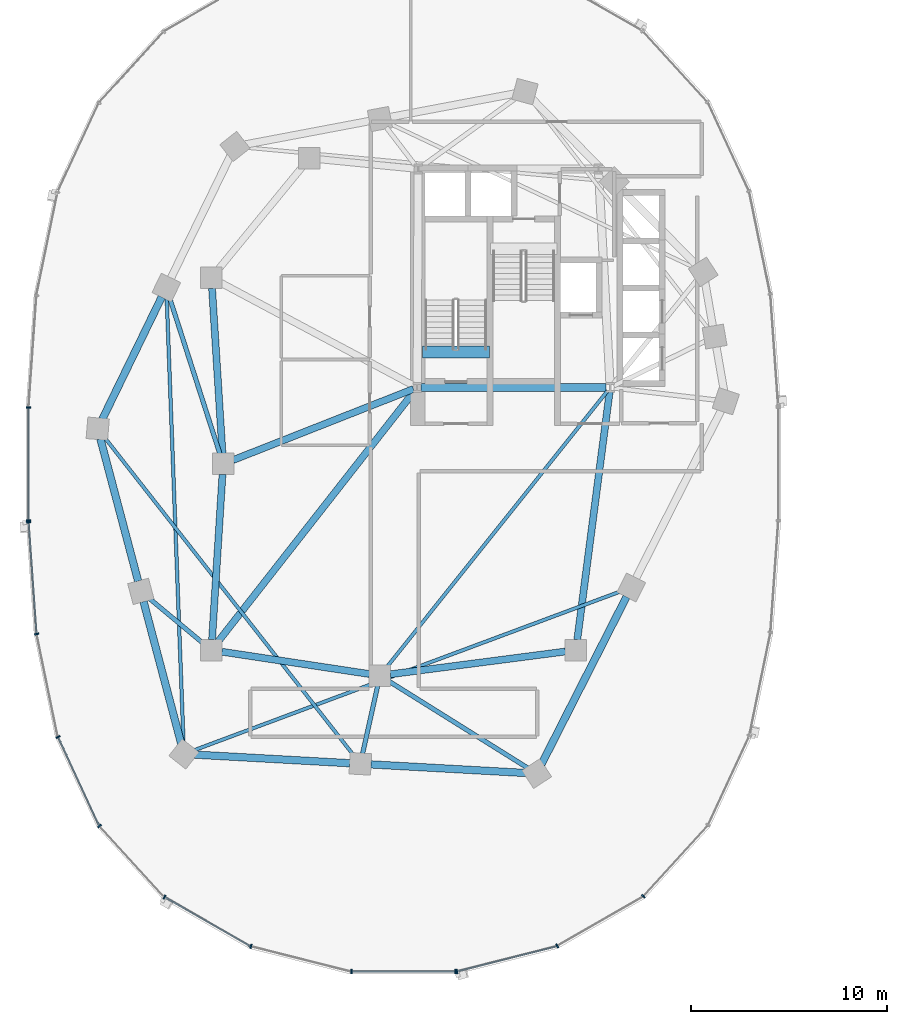
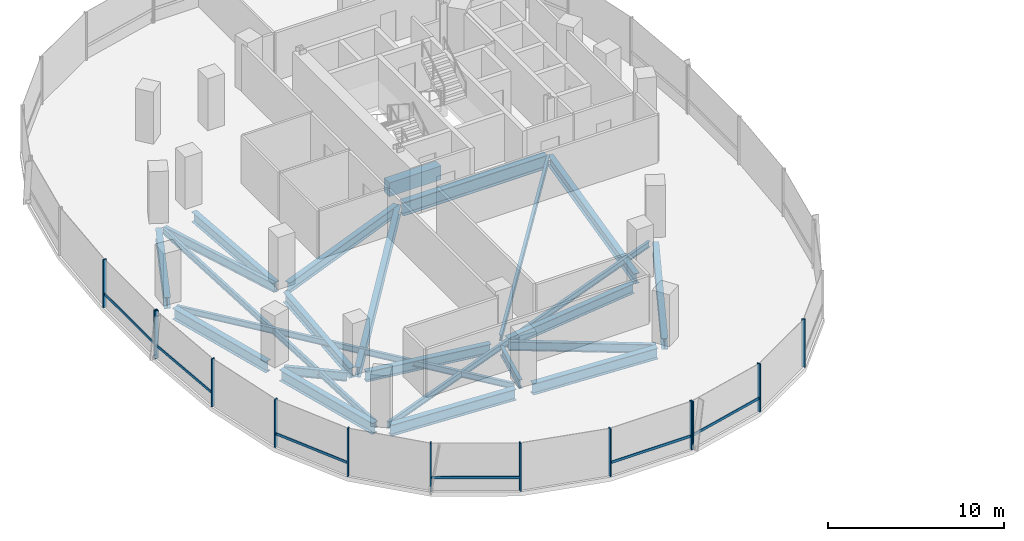
# One storey, part 2 of 20: 23 beams, 19 members, 3 elements without a shape of their own.
"""IFC4 building model written with IfcOpenShell, lengths in metres."""

from ifc_helpers import new_model, si_unit, direction, frame, origin, origin_2d, place, context, subcontext, project, spatial, rectangle, i_section, extrude, material, material_profile, profile_set, type_object, element, aggregate, save


model = new_model("IFC4")

# Units and contexts
model_context = context("Model", 3, precision=1e-05, world=origin(), true_north=direction((0.0, 1.0)))
body_context = subcontext(model_context, "Body", "Model", "MODEL_VIEW")
ifc_project = project(units=[si_unit("LENGTHUNIT", "METRE"), si_unit("AREAUNIT", "SQUARE_METRE"), si_unit("VOLUMEUNIT", "CUBIC_METRE"), si_unit("PLANEANGLEUNIT", "RADIAN"), si_unit("MASSUNIT", "GRAM", prefix="KILO"), si_unit("THERMODYNAMICTEMPERATUREUNIT", "KELVIN"), si_unit("POWERUNIT", "WATT")], contexts=[model_context])

# Site, building, storey
site_placement = place(None, origin())
site = spatial("IfcSite", under=ifc_project, at=site_placement, CompositionType="ELEMENT")
building_placement = place(site_placement, origin())
building = spatial("IfcBuilding", under=site, at=building_placement, Name="Cundina Bronze Exchange", CompositionType="ELEMENT")
storey_placement = place(building_placement, frame((0.0, 0.0, 128.60009765625)))
storey = spatial("IfcBuildingStorey", under=building, at=storey_placement, Name="L33", CompositionType="ELEMENT", Elevation=128.60009765625)

# Beams
ifc_material_1 = material(Name="Concrete C60/75", Category="concrete")
ifc_material_profile_1 = material_profile(ifc_material_1, rectangle(XDim=0.60009765625, YDim=0.949951171875, at=origin_2d()), Name="RC600X950", Category="concrete")
ifc_profile_set_1 = profile_set([ifc_material_profile_1], Name="Concrete C60/75")
beam_type_1 = type_object("IfcBeamType", Name="BM-COUP-RC950", PredefinedType="LINTEL", material=ifc_profile_set_1)
beam_1_placement = place(storey_placement, frame((-31.02001953125, 5.719970703125, -0.47509765625), z_axis=(1.0, 0.0, 0.0), x_axis=(0.0, 1.0, 0.0)))
element("IfcBeam", 1, at=beam_1_placement, inside=storey, type_object=beam_type_1, Name="L33 Stair W1 Landing Header Beam", PredefinedType="LINTEL", context=body_context, shape_type="SweptSolid", body=[
    extrude(rectangle(XDim=0.60009765625, YDim=0.949951171875, at=origin_2d()), origin(), (0.0, 0.0, 1.0), 3.39990234375),
])
ifc_material_2 = material(Name="Steel ASTM A992 Grade 50", Category="steel")
ifc_material_profile_2 = material_profile(ifc_material_2, i_section(OverallWidth=0.22998046875, OverallDepth=0.616943359375, WebThickness=0.01318359375, FlangeThickness=0.022216796875, FilletRadius=0.013916015625, at=origin_2d()), Name="W24X94", Category="steel")
ifc_profile_set_2 = profile_set([ifc_material_profile_2], Name="Steel ASTM A992 Grade 50")
beam_type_2 = type_object("IfcBeamType", Name="BM-FLR-W24B", PredefinedType="BEAM", material=ifc_profile_set_2)
beam_2_placement = place(storey_placement, frame((-41.364990234375, 0.51220703125, -0.608642578125), z_axis=(-0.306710777581, 0.951802762612, 0.0), x_axis=(-0.951802762612, -0.306710777581, 0.0)))
element("IfcBeam", 2, at=beam_2_placement, inside=storey, type_object=beam_type_2, Name="L33 Leg W Radial Floor Beam 07", PredefinedType="BEAM", context=body_context, shape_type="SweptSolid", body=[
    extrude(i_section(OverallWidth=0.22998046875, OverallDepth=0.616943359375, WebThickness=0.01318359375, FlangeThickness=0.022216796875, FilletRadius=0.013916015625, at=origin_2d()), origin(), (0.0, 0.0, 1.0), 8.37939453125),
])
beam_3_placement = place(storey_placement, frame((-42.21337890625, -9.155517578125, -0.608642578125), z_axis=(-0.768243451945, 0.640157791911, 0.0), x_axis=(-0.640157791911, -0.768243451945, 0.0)))
element("IfcBeam", 3, at=beam_3_placement, inside=storey, type_object=beam_type_2, Name="L33 Leg W Radial Floor Beam 09", PredefinedType="BEAM", context=body_context, shape_type="SweptSolid", body=[
    extrude(i_section(OverallWidth=0.22998046875, OverallDepth=0.616943359375, WebThickness=0.01318359375, FlangeThickness=0.022216796875, FilletRadius=0.013916015625, at=origin_2d()), origin(), (0.0, 0.0, 1.0), 3.610107421875),
])
beam_4_placement = place(storey_placement, frame((-33.316650390625, -11.3251953125, -0.608642578125), z_axis=(-0.216930457819, -0.976187060184, 0.0), x_axis=(0.976187060184, -0.216930457819, 0.0)))
element("IfcBeam", 4, at=beam_4_placement, inside=storey, type_object=beam_type_2, Name="L33 Leg W Radial Floor Beam 11", PredefinedType="BEAM", context=body_context, shape_type="SweptSolid", body=[
    extrude(i_section(OverallWidth=0.22998046875, OverallDepth=0.616943359375, WebThickness=0.01318359375, FlangeThickness=0.022216796875, FilletRadius=0.013916015625, at=origin_2d()), origin(), (0.0, 0.0, 1.0), 3.533935546875),
])
beam_5_placement = place(storey_placement, frame((-32.743896484375, -11.085205078125, -0.608642578125), z_axis=(0.848003227047, -0.529991063055, 0.0), x_axis=(0.529991063055, 0.848003227047, 0.0)))
element("IfcBeam", 5, at=beam_5_placement, inside=storey, type_object=beam_type_2, Name="L33 Leg W Radial Floor Beam 12", PredefinedType="BEAM", context=body_context, shape_type="SweptSolid", body=[
    extrude(i_section(OverallWidth=0.22998046875, OverallDepth=0.616943359375, WebThickness=0.01318359375, FlangeThickness=0.022216796875, FilletRadius=0.013916015625, at=origin_2d()), origin(), (0.0, 0.0, 1.0), 8.358154296875),
])
ifc_material_profile_3 = material_profile(ifc_material_2, i_section(OverallWidth=0.178955078125, OverallDepth=0.409912109375, WebThickness=0.0087890625, FlangeThickness=0.014404296875, FilletRadius=0.010986328125, at=origin_2d()), Name="W16X45", Category="steel")
ifc_profile_set_3 = profile_set([ifc_material_profile_3], Name="Steel ASTM A992 Grade 50")
beam_type_3 = type_object("IfcBeamType", Name="BM-JST-W16", PredefinedType="JOIST", material=ifc_profile_set_3)
beam_6_placement = place(storey_placement, frame((-21.577392578125, 3.740478515625, -0.505126953125), z_axis=(-0.62436887964, -0.781129632095, 0.0), x_axis=(0.781129632095, -0.62436887964, 0.0)))
element("IfcBeam", 6, at=beam_6_placement, inside=storey, type_object=beam_type_3, Name="L33 W Interior Core-to-Ring Joist 2", PredefinedType="JOIST", context=body_context, shape_type="SweptSolid", body=[
    extrude(i_section(OverallWidth=0.178955078125, OverallDepth=0.409912109375, WebThickness=0.0087890625, FlangeThickness=0.014404296875, FilletRadius=0.010986328125, at=origin_2d()), origin(), (0.0, 0.0, 1.0), 18.076904296875),
])
beam_7_placement = place(storey_placement, frame((-44.07958984375, 8.46240234375, -0.505126953125), z_axis=(0.03778951385, -0.999285721224, 0.0), x_axis=(0.999285721224, 0.03778951385, 0.0)))
element("IfcBeam", 7, at=beam_7_placement, inside=storey, type_object=beam_type_3, Name="L33 Leg W Lobe Floor Joist 07-10", PredefinedType="JOIST", context=body_context, shape_type="SweptSolid", body=[
    extrude(i_section(OverallWidth=0.178955078125, OverallDepth=0.409912109375, WebThickness=0.0087890625, FlangeThickness=0.014404296875, FilletRadius=0.010986328125, at=origin_2d()), origin(), (0.0, 0.0, 1.0), 22.7412109375),
])
beam_8_placement = place(storey_placement, frame((-47.268310546875, 1.37646484375, -0.505126953125), z_axis=(0.616815348306, -0.787107887201, 0.0), x_axis=(0.787107887201, 0.616815348306, 0.0)))
element("IfcBeam", 8, at=beam_8_placement, inside=storey, type_object=beam_type_3, Name="L33 Leg W Lobe Floor Joist 08-11", PredefinedType="JOIST", context=body_context, shape_type="SweptSolid", body=[
    extrude(i_section(OverallWidth=0.178955078125, OverallDepth=0.409912109375, WebThickness=0.0087890625, FlangeThickness=0.014404296875, FilletRadius=0.010986328125, at=origin_2d()), origin(), (0.0, 0.0, 1.0), 20.64892578125),
])
beam_9_placement = place(storey_placement, frame((-42.69580078125, -14.6123046875, -0.505126953125), z_axis=(0.937127917421, 0.348986054721, 0.0), x_axis=(-0.348986054721, 0.937127917421, 0.0)))
element("IfcBeam", 9, at=beam_9_placement, inside=storey, type_object=beam_type_3, Name="L33 Leg W Lobe Floor Joist 10-13", PredefinedType="JOIST", context=body_context, shape_type="SweptSolid", body=[
    extrude(i_section(OverallWidth=0.178955078125, OverallDepth=0.409912109375, WebThickness=0.0087890625, FlangeThickness=0.014404296875, FilletRadius=0.010986328125, at=origin_2d()), origin(), (0.0, 0.0, 1.0), 23.2802734375),
])
ifc_material_profile_4 = material_profile(ifc_material_2, i_section(OverallWidth=0.35498046875, OverallDepth=0.695068359375, WebThickness=0.015380859375, FlangeThickness=0.02490234375, FilletRadius=0.01806640625, at=origin_2d()), Name="W27X146", Category="steel")
ifc_profile_set_4 = profile_set([ifc_material_profile_4], Name="Steel ASTM A992 Grade 50")
beam_type_4 = type_object("IfcBeamType", Name="BM-RING-W27", PredefinedType="USERDEFINED", material=ifc_profile_set_4)
for number, where, z_axis, x_axis, name in (
    (10, (-41.76611328125, 8.963134765625, -0.647705078125), (0.06303715519, -0.998011180832, 0.0), (0.998011180832, 0.06303715519, 0.0), "L33 W Inner Structural Ring Girder 03"),
    (11, (-41.23388671875, -0.536865234375, -0.647705078125), (-0.06303715519, -0.998011180832, 0.0), (0.998011180832, -0.06303715519, 0.0), "L33 W Inner Structural Ring Girder 04"),
):
    element("IfcBeam", number, at=place(storey_placement, frame(where, z_axis=z_axis, x_axis=x_axis)), inside=storey, type_object=beam_type_4, Name=name, ObjectType="GIRDER", PredefinedType="USERDEFINED", context=body_context, shape_type="SweptSolid", body=[
        extrude(i_section(OverallWidth=0.35498046875, OverallDepth=0.695068359375, WebThickness=0.015380859375, FlangeThickness=0.02490234375, FilletRadius=0.01806640625, at=origin_2d()), origin(), (0.0, 0.0, 1.0), 8.443115234375),
    ])
beam_10_placement = place(storey_placement, frame((-41.26806640625, -9.580322265625, -0.647705078125), z_axis=(0.988767489563, -0.149461873341, 0.0), x_axis=(0.149461873341, 0.988767489563, 0.0)))
element("IfcBeam", 12, at=beam_10_placement, inside=storey, type_object=beam_type_4, Name="L33 W Inner Structural Ring Girder 05", ObjectType="GIRDER", PredefinedType="USERDEFINED", context=body_context, shape_type="SweptSolid", body=[
    extrude(i_section(OverallWidth=0.35498046875, OverallDepth=0.695068359375, WebThickness=0.015380859375, FlangeThickness=0.02490234375, FilletRadius=0.01806640625, at=origin_2d()), origin(), (0.0, 0.0, 1.0), 7.621826171875),
])
beam_11_placement = place(storey_placement, frame((-32.66650390625, -10.730712890625, -0.647705078125), z_axis=(0.991654577907, 0.128923225666, 0.0), x_axis=(-0.128923225666, 0.991654577907, 0.0)))
element("IfcBeam", 13, at=beam_11_placement, inside=storey, type_object=beam_type_4, Name="L33 W Inner Structural Ring Girder 06", ObjectType="GIRDER", PredefinedType="USERDEFINED", context=body_context, shape_type="SweptSolid", body=[
    extrude(i_section(OverallWidth=0.35498046875, OverallDepth=0.695068359375, WebThickness=0.015380859375, FlangeThickness=0.02490234375, FilletRadius=0.01806640625, at=origin_2d()), origin(), (0.0, 0.0, 1.0), 9.00830078125),
])
beam_12_placement = place(storey_placement, frame((-23.13037109375, -8.966552734375, -0.647705078125), z_axis=(0.129507526533, 0.99157843894, 0.0), x_axis=(-0.99157843894, 0.129507526533, 0.0)))
element("IfcBeam", 14, at=beam_12_placement, inside=storey, type_object=beam_type_4, Name="L33 W Inner Structural Ring Girder 07", ObjectType="GIRDER", PredefinedType="USERDEFINED", context=body_context, shape_type="SweptSolid", body=[
    extrude(i_section(OverallWidth=0.35498046875, OverallDepth=0.695068359375, WebThickness=0.015380859375, FlangeThickness=0.02490234375, FilletRadius=0.01806640625, at=origin_2d()), origin(), (0.0, 0.0, 1.0), 12.77197265625),
])
beam_13_placement = place(storey_placement, frame((-31.48974609375, 3.8251953125, -0.647705078125), z_axis=(-0.930413235418, -0.366512225388, 0.0), x_axis=(0.366512225388, -0.930413235418, 0.0)))
element("IfcBeam", 15, at=beam_13_placement, inside=storey, type_object=beam_type_4, Name="L33 W Core-to-Waist Tie Beam 1", ObjectType="GIRDER", PredefinedType="USERDEFINED", context=body_context, shape_type="SweptSolid", body=[
    extrude(i_section(OverallWidth=0.35498046875, OverallDepth=0.695068359375, WebThickness=0.015380859375, FlangeThickness=0.02490234375, FilletRadius=0.01806640625, at=origin_2d()), origin(), (0.0, 0.0, 1.0), 9.8984375),
])
beam_14_placement = place(storey_placement, frame((-31.42578125, 3.739501953125, -0.647705078125), z_axis=(-0.616789275748, -0.787128318206, 0.0), x_axis=(0.787128318206, -0.616789275748, 0.0)))
element("IfcBeam", 16, at=beam_14_placement, inside=storey, type_object=beam_type_4, Name="L33 W Core-to-Waist Tie Beam 3", ObjectType="GIRDER", PredefinedType="USERDEFINED", context=body_context, shape_type="SweptSolid", body=[
    extrude(i_section(OverallWidth=0.35498046875, OverallDepth=0.695068359375, WebThickness=0.015380859375, FlangeThickness=0.02490234375, FilletRadius=0.01806640625, at=origin_2d()), origin(), (0.0, 0.0, 1.0), 16.281982421875),
])
ifc_material_profile_5 = material_profile(ifc_material_2, i_section(OverallWidth=0.381103515625, OverallDepth=0.77294921875, WebThickness=0.0166015625, FlangeThickness=0.027099609375, FilletRadius=0.01904296875, at=origin_2d()), Name="W30X173", Category="steel")
ifc_profile_set_5 = profile_set([ifc_material_profile_5], Name="Steel ASTM A992 Grade 50")
beam_type_5 = type_object("IfcBeamType", Name="BM-RING-W30", PredefinedType="USERDEFINED", material=ifc_profile_set_5)
beam_15_placement = place(storey_placement, frame((-44.335205078125, 8.51611328125, -0.6865234375), z_axis=(-0.437193894283, -0.899367276924, 0.0), x_axis=(0.899367276924, -0.437193894283, 0.0)))
element("IfcBeam", 17, at=beam_15_placement, inside=storey, type_object=beam_type_5, Name="L33 W Perimeter Ring Girder 07", ObjectType="GIRDER", PredefinedType="USERDEFINED", context=body_context, shape_type="SweptSolid", body=[
    extrude(i_section(OverallWidth=0.381103515625, OverallDepth=0.77294921875, WebThickness=0.0166015625, FlangeThickness=0.027099609375, FilletRadius=0.01904296875, at=origin_2d()), origin(), (0.0, 0.0, 1.0), 6.929443359375),
])
for number, where, z_axis, x_axis, name in (
    (18, (-47.462158203125, 1.280029296875, -0.6865234375), (0.256209719931, -0.966621218168, 0.0), (0.966621218168, 0.256209719931, 0.0), "L33 W Perimeter Ring Girder 08"),
    (19, (-45.26220703125, -7.02001953125, -0.6865234375), (0.256209719931, -0.966621218168, 0.0), (0.966621218168, 0.256209719931, 0.0), "L33 W Perimeter Ring Girder 09"),
):
    element("IfcBeam", number, at=place(storey_placement, frame(where, z_axis=z_axis, x_axis=x_axis)), inside=storey, type_object=beam_type_5, Name=name, ObjectType="GIRDER", PredefinedType="USERDEFINED", context=body_context, shape_type="SweptSolid", body=[
        extrude(i_section(OverallWidth=0.381103515625, OverallDepth=0.77294921875, WebThickness=0.0166015625, FlangeThickness=0.027099609375, FilletRadius=0.01904296875, at=origin_2d()), origin(), (0.0, 0.0, 1.0), 7.5107421875),
    ])
for number, where, z_axis, x_axis, name in (
    (20, (-42.662841796875, -14.829833984375, -0.6865234375), (0.99845950136, -0.055485350721, 0.0), (0.055485350721, 0.99845950136, 0.0), "L33 W Perimeter Ring Girder 10"),
    (21, (-33.662841796875, -15.329833984375, -0.6865234375), (0.99845950136, -0.055485350721, 0.0), (0.055485350721, 0.99845950136, 0.0), "L33 W Perimeter Ring Girder 11"),
):
    element("IfcBeam", number, at=place(storey_placement, frame(where, z_axis=z_axis, x_axis=x_axis)), inside=storey, type_object=beam_type_5, Name=name, ObjectType="GIRDER", PredefinedType="USERDEFINED", context=body_context, shape_type="SweptSolid", body=[
        extrude(i_section(OverallWidth=0.381103515625, OverallDepth=0.77294921875, WebThickness=0.0166015625, FlangeThickness=0.027099609375, FilletRadius=0.01904296875, at=origin_2d()), origin(), (0.0, 0.0, 1.0), 7.937744140625),
    ])
beam_16_placement = place(storey_placement, frame((-24.956298828125, -15.3203125, -0.6865234375), z_axis=(0.452832332744, 0.891595692241, 0.0), x_axis=(-0.891595692241, 0.452832332744, 0.0)))
element("IfcBeam", 22, at=beam_16_placement, inside=storey, type_object=beam_type_5, Name="L33 W Perimeter Ring Girder 12", ObjectType="GIRDER", PredefinedType="USERDEFINED", context=body_context, shape_type="SweptSolid", body=[
    extrude(i_section(OverallWidth=0.381103515625, OverallDepth=0.77294921875, WebThickness=0.0166015625, FlangeThickness=0.027099609375, FilletRadius=0.01904296875, at=origin_2d()), origin(), (0.0, 0.0, 1.0), 9.578857421875),
])
ifc_material_profile_6 = material_profile(ifc_material_2, i_section(OverallWidth=0.41796875, OverallDepth=0.927001953125, WebThickness=0.019287109375, FlangeThickness=0.031982421875, FilletRadius=0.02392578125, at=origin_2d()), Name="W36X231", Category="steel")
ifc_profile_set_6 = profile_set([ifc_material_profile_6], Name="Steel ASTM A992 Grade 50")
beam_type_6 = type_object("IfcBeamType", Name="BM-WRN-W36B", PredefinedType="USERDEFINED", material=ifc_profile_set_6)
beam_17_placement = place(storey_placement, frame((-31.095947265625, 3.89990234375, -0.763671875), z_axis=(1.0, 0.0, 0.0), x_axis=(0.0, 1.0, 0.0)))
element("IfcBeam", 23, at=beam_17_placement, inside=storey, type_object=beam_type_6, Name="L33 W Core Perimeter Tie Girder 1", ObjectType="GIRDER", PredefinedType="USERDEFINED", context=body_context, shape_type="SweptSolid", body=[
    extrude(i_section(OverallWidth=0.41796875, OverallDepth=0.927001953125, WebThickness=0.019287109375, FlangeThickness=0.031982421875, FilletRadius=0.02392578125, at=origin_2d()), origin(), (0.0, 0.0, 1.0), 9.44189453125),
])

# Curtain wall, members
ifc_material_3 = material(Name="Anodised Bronze Aluminium 6063-T6", Category="aluminium")
curtain_wall_type = type_object("IfcCurtainWallType", Name="CWS-TRD-MID", PredefinedType="NOTDEFINED", material=ifc_material_3)
curtain_wall_1_placement = place(storey_placement, origin())
curtain_wall_1 = element("IfcCurtainWall", 24, at=curtain_wall_1_placement, inside=storey, type_object=curtain_wall_type, Name="L33 CW-03 Curtain Wall Run CWR-L33-W2", PredefinedType="NOTDEFINED")
ifc_material_profile_7 = material_profile(ifc_material_3, rectangle(XDim=0.074951171875, YDim=0.219970703125, at=origin_2d()), Name="AL75X220", Category="aluminium")
ifc_profile_set_7 = profile_set([ifc_material_profile_7], Name="Anodised Bronze Aluminium 6063-T6")
member_type_1 = type_object("IfcMemberType", Name="CWM-MUL-220", PredefinedType="MULLION", material=ifc_profile_set_7)
member_1_placement = place(storey_placement, frame((-51.1279296875, 2.880615234375, 0.0), z_axis=(0.0, 0.0, 1.0), x_axis=(0.0, -1.0, 0.0)))
member_1 = element("IfcMember", 25, at=member_1_placement, type_object=member_type_1, Name="CW-03 Mullion 7", PredefinedType="MULLION", context=body_context, shape_type="SweptSolid", body=[
    extrude(rectangle(XDim=0.074951171875, YDim=0.219970703125, at=origin_2d()), origin(), (0.0, 0.0, 1.0), 3.31982421875),
])
member_2_placement = place(storey_placement, frame((-51.1279296875, -2.880615234375, 0.0), z_axis=(0.0, 0.0, 1.0), x_axis=(0.0, -1.0, 0.0)))
member_2 = element("IfcMember", 26, at=member_2_placement, type_object=member_type_1, Name="CW-03 End Mullion", PredefinedType="MULLION", context=body_context, shape_type="SweptSolid", body=[
    extrude(rectangle(XDim=0.074951171875, YDim=0.219970703125, at=origin_2d()), origin(), (0.0, 0.0, 1.0), 3.31982421875),
])

curtain_wall_2_placement = place(storey_placement, origin())
curtain_wall_2 = element("IfcCurtainWall", 27, at=curtain_wall_2_placement, inside=storey, type_object=curtain_wall_type, Name="L33 CW-03 Curtain Wall Run CWR-L33-W3", PredefinedType="NOTDEFINED")
member_3_placement = place(storey_placement, frame((-51.12451171875, -2.976318359375, 0.0), z_axis=(0.0, 0.0, 1.0), x_axis=(0.070278787473, -0.997527389113, 0.0)))
member_3 = element("IfcMember", 28, at=member_3_placement, type_object=member_type_1, Name="CW-03 Mullion 1", PredefinedType="MULLION", context=body_context, shape_type="SweptSolid", body=[
    extrude(rectangle(XDim=0.074951171875, YDim=0.219970703125, at=origin_2d()), origin(), (0.0, 0.0, 1.0), 3.31982421875),
])
member_4_placement = place(storey_placement, frame((-50.717041015625, -8.67822265625, 0.0), z_axis=(0.0, 0.0, 1.0), x_axis=(0.201419845156, -0.979505000486, 0.0)))
member_4 = element("IfcMember", 29, at=member_4_placement, type_object=member_type_1, Name="CW-03 Mullion 2", PredefinedType="MULLION", context=body_context, shape_type="SweptSolid", body=[
    extrude(rectangle(XDim=0.074951171875, YDim=0.219970703125, at=origin_2d()), origin(), (0.0, 0.0, 1.0), 3.31982421875),
])
member_5_placement = place(storey_placement, frame((-49.6279296875, -13.931884765625, 0.0), z_axis=(0.0, 0.0, 1.0), x_axis=(0.42087749791, -0.907117485088, 0.0)))
member_5 = element("IfcMember", 30, at=member_5_placement, type_object=member_type_1, Name="CW-03 Mullion 3", PredefinedType="MULLION", context=body_context, shape_type="SweptSolid", body=[
    extrude(rectangle(XDim=0.074951171875, YDim=0.219970703125, at=origin_2d()), origin(), (0.0, 0.0, 1.0), 3.31982421875),
])
member_6_placement = place(storey_placement, frame((-47.508544921875, -18.47705078125, 0.0), z_axis=(0.0, 0.0, 1.0), x_axis=(0.674302387584, -0.738455340626, 0.0)))
member_6 = element("IfcMember", 31, at=member_6_placement, type_object=member_type_1, Name="CW-03 Mullion 4", PredefinedType="MULLION", context=body_context, shape_type="SweptSolid", body=[
    extrude(rectangle(XDim=0.074951171875, YDim=0.219970703125, at=origin_2d()), origin(), (0.0, 0.0, 1.0), 3.31982421875),
])
member_7_placement = place(storey_placement, frame((-44.189697265625, -22.097412109375, 0.0), z_axis=(0.0, 0.0, 1.0), x_axis=(0.867070701164, -0.498185105339, 0.0)))
member_7 = element("IfcMember", 32, at=member_7_placement, type_object=member_type_1, Name="CW-03 Mullion 5", PredefinedType="MULLION", context=body_context, shape_type="SweptSolid", body=[
    extrude(rectangle(XDim=0.074951171875, YDim=0.219970703125, at=origin_2d()), origin(), (0.0, 0.0, 1.0), 3.31982421875),
])
member_8_placement = place(storey_placement, frame((-39.78515625, -24.61669921875, 0.0), z_axis=(0.0, 0.0, 1.0), x_axis=(0.969488149345, -0.245138182011, 0.0)))
member_8 = element("IfcMember", 33, at=member_8_placement, type_object=member_type_1, Name="CW-03 Mullion 6", PredefinedType="MULLION", context=body_context, shape_type="SweptSolid", body=[
    extrude(rectangle(XDim=0.074951171875, YDim=0.219970703125, at=origin_2d()), origin(), (0.0, 0.0, 1.0), 3.31982421875),
])
member_9_placement = place(storey_placement, frame((-34.654541015625, -25.905029296875, 0.0), z_axis=(0.0, 0.0, 1.0), x_axis=(1.0, 0.0, 0.0)))
member_9 = element("IfcMember", 34, at=member_9_placement, type_object=member_type_1, Name="CW-03 Mullion 7", PredefinedType="MULLION", context=body_context, shape_type="SweptSolid", body=[
    extrude(rectangle(XDim=0.074951171875, YDim=0.219970703125, at=origin_2d()), origin(), (0.0, 0.0, 1.0), 3.31982421875),
])
member_10_placement = place(storey_placement, frame((-29.345458984375, -25.905029296875, 0.0), z_axis=(0.0, 0.0, 1.0), x_axis=(1.0, 0.0, 0.0)))
member_10 = element("IfcMember", 35, at=member_10_placement, type_object=member_type_1, Name="CW-03 End Mullion", PredefinedType="MULLION", context=body_context, shape_type="SweptSolid", body=[
    extrude(rectangle(XDim=0.074951171875, YDim=0.219970703125, at=origin_2d()), origin(), (0.0, 0.0, 1.0), 3.31982421875),
])

curtain_wall_3_placement = place(storey_placement, origin())
curtain_wall_3 = element("IfcCurtainWall", 36, at=curtain_wall_3_placement, inside=storey, type_object=curtain_wall_type, Name="L33 CW-03 Curtain Wall Run CWR-L33-W4", PredefinedType="NOTDEFINED")
member_11_placement = place(storey_placement, frame((-29.27392578125, -25.89599609375, 0.0), z_axis=(0.0, 0.0, 1.0), x_axis=(0.969488149345, 0.245138182011, 0.0)))
member_11 = element("IfcMember", 37, at=member_11_placement, type_object=member_type_1, Name="CW-03 Mullion 1", PredefinedType="MULLION", context=body_context, shape_type="SweptSolid", body=[
    extrude(rectangle(XDim=0.074951171875, YDim=0.219970703125, at=origin_2d()), origin(), (0.0, 0.0, 1.0), 3.31982421875),
])
member_12_placement = place(storey_placement, frame((-24.151123046875, -24.591064453125, 0.0), z_axis=(0.0, 0.0, 1.0), x_axis=(0.867070701164, 0.498185105339, 0.0)))
member_12 = element("IfcMember", 38, at=member_12_placement, type_object=member_type_1, Name="CW-03 Mullion 2", PredefinedType="MULLION", context=body_context, shape_type="SweptSolid", body=[
    extrude(rectangle(XDim=0.074951171875, YDim=0.219970703125, at=origin_2d()), origin(), (0.0, 0.0, 1.0), 3.31982421875),
])
member_13_placement = place(storey_placement, frame((-19.760498046875, -22.0576171875, 0.0), z_axis=(0.0, 0.0, 1.0), x_axis=(0.674302387584, 0.738455340626, 0.0)))
member_13 = element("IfcMember", 39, at=member_13_placement, type_object=member_type_1, Name="CW-03 Mullion 3", PredefinedType="MULLION", context=body_context, shape_type="SweptSolid", body=[
    extrude(rectangle(XDim=0.074951171875, YDim=0.219970703125, at=origin_2d()), origin(), (0.0, 0.0, 1.0), 3.31982421875),
])

# Member
ifc_material_profile_8 = material_profile(ifc_material_3, rectangle(XDim=0.070068359375, YDim=0.179931640625, at=origin_2d()), Name="AL70X180", Category="aluminium")
ifc_profile_set_8 = profile_set([ifc_material_profile_8], Name="Anodised Bronze Aluminium 6063-T6")
member_type_2 = type_object("IfcMemberType", Name="CWM-TRN-180", PredefinedType="USERDEFINED", material=ifc_profile_set_8)
member_14_placement = place(storey_placement, frame((-51.1279296875, 2.839111328125, 0.919921875), z_axis=(0.0, -1.0, 0.0), x_axis=(1.0, 0.0, 0.0)))
member_14 = element("IfcMember", 40, at=member_14_placement, type_object=member_type_2, Name="CW-03 Spandrel Transom 7", ObjectType="TRANSOM", PredefinedType="USERDEFINED", context=body_context, shape_type="SweptSolid", body=[
    extrude(rectangle(XDim=0.070068359375, YDim=0.179931640625, at=origin_2d()), origin(), (0.0, 0.0, 1.0), 5.67822265625),
])

aggregate(curtain_wall_1, [member_1, member_2, member_14])

member_15_placement = place(storey_placement, frame((-51.12158203125, -3.017333984375, 0.919921875), z_axis=(0.070260714471, -0.997528662246, 0.0), x_axis=(0.997528662246, 0.070260714471, 0.0)))
member_15 = element("IfcMember", 41, at=member_15_placement, type_object=member_type_2, Name="CW-03 Spandrel Transom 1", ObjectType="TRANSOM", PredefinedType="USERDEFINED", context=body_context, shape_type="SweptSolid", body=[
    extrude(rectangle(XDim=0.070068359375, YDim=0.179931640625, at=origin_2d()), origin(), (0.0, 0.0, 1.0), 5.629150390625),
])

member_16_placement = place(storey_placement, frame((-49.610595703125, -13.96923828125, 0.919921875), z_axis=(0.420811422796, -0.907148139195, 0.0), x_axis=(0.907148139195, 0.420811422796, 0.0)))
member_16 = element("IfcMember", 42, at=member_16_placement, type_object=member_type_2, Name="CW-03 Spandrel Transom 3", ObjectType="TRANSOM", PredefinedType="USERDEFINED", context=body_context, shape_type="SweptSolid", body=[
    extrude(rectangle(XDim=0.070068359375, YDim=0.179931640625, at=origin_2d()), origin(), (0.0, 0.0, 1.0), 4.95166015625),
])

member_17_placement = place(storey_placement, frame((-44.154052734375, -22.117919921875, 0.919921875), z_axis=(0.867097475651, -0.498138502546, 0.0), x_axis=(0.498138502546, 0.867097475651, 0.0)))
member_17 = element("IfcMember", 43, at=member_17_placement, type_object=member_type_2, Name="CW-03 Spandrel Transom 5", ObjectType="TRANSOM", PredefinedType="USERDEFINED", context=body_context, shape_type="SweptSolid", body=[
    extrude(rectangle(XDim=0.070068359375, YDim=0.179931640625, at=origin_2d()), origin(), (0.0, 0.0, 1.0), 5.00634765625),
])

member_18_placement = place(storey_placement, frame((-34.61328125, -25.905029296875, 0.919921875), z_axis=(1.0, 0.0, 0.0), x_axis=(0.0, 1.0, 0.0)))
member_18 = element("IfcMember", 44, at=member_18_placement, type_object=member_type_2, Name="CW-03 Spandrel Transom 7", ObjectType="TRANSOM", PredefinedType="USERDEFINED", context=body_context, shape_type="SweptSolid", body=[
    extrude(rectangle(XDim=0.070068359375, YDim=0.179931640625, at=origin_2d()), origin(), (0.0, 0.0, 1.0), 5.2265625),
])

aggregate(curtain_wall_2, [member_3, member_15, member_4, member_5, member_16, member_6, member_7, member_17, member_8, member_9, member_10, member_18])

member_19_placement = place(storey_placement, frame((-29.23388671875, -25.885986328125, 0.919921875), z_axis=(0.969483968866, 0.245154714644, 0.0), x_axis=(-0.245154714644, 0.969483968866, 0.0)))
member_19 = element("IfcMember", 45, at=member_19_placement, type_object=member_type_2, Name="CW-03 Spandrel Transom 1", ObjectType="TRANSOM", PredefinedType="USERDEFINED", context=body_context, shape_type="SweptSolid", body=[
    extrude(rectangle(XDim=0.070068359375, YDim=0.179931640625, at=origin_2d()), origin(), (0.0, 0.0, 1.0), 5.21826171875),
])

aggregate(curtain_wall_3, [member_11, member_19, member_12, member_13])

save(model, "model.ifc")
